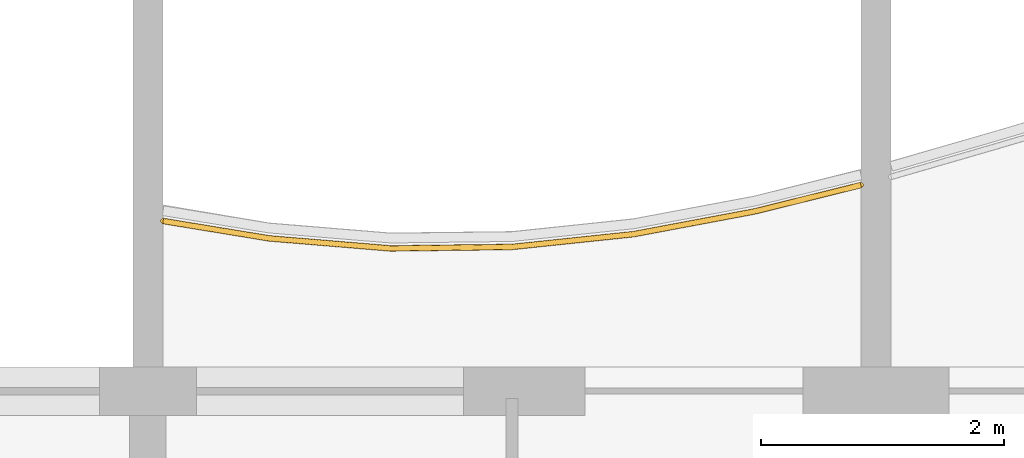
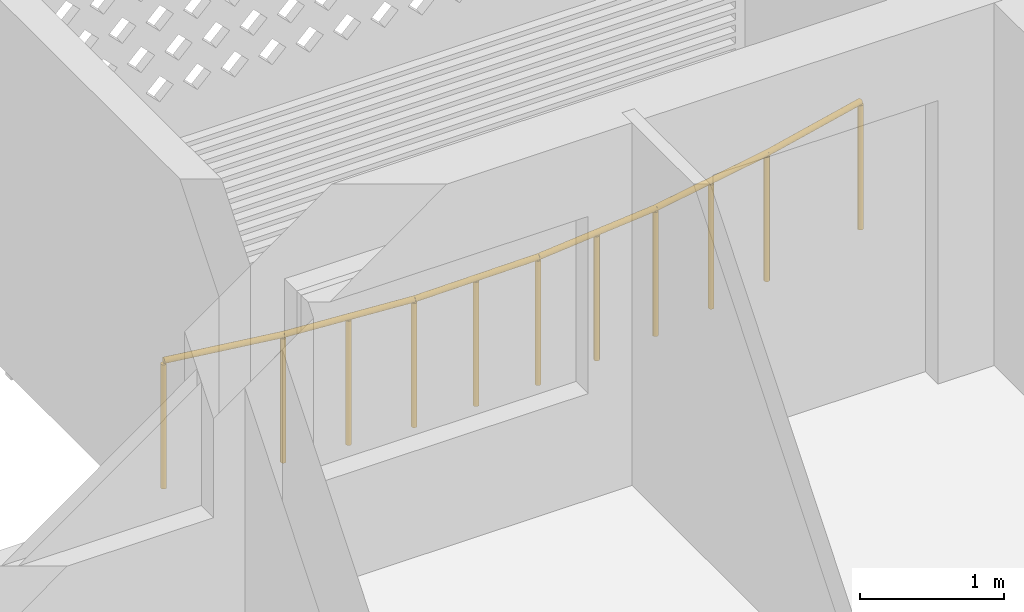
# One storey, part 22 of 31: 1 railing.
"""IFC4 building model written with IfcOpenShell, lengths in metres."""

from ifc_helpers import new_model, si_unit, direction, frame, origin, origin_2d, place, context, subcontext, project, spatial, circle, extrude, material, type_object, element, save


model = new_model("IFC4")

# Units and contexts
model_context = context("Model", 3, precision=1e-05, world=origin(), true_north=direction((0.0, 1.0)))
body_context = subcontext(model_context, "Body", "Model", "MODEL_VIEW")
ifc_project = project(units=[si_unit("LENGTHUNIT", "METRE"), si_unit("AREAUNIT", "SQUARE_METRE"), si_unit("VOLUMEUNIT", "CUBIC_METRE"), si_unit("PLANEANGLEUNIT", "RADIAN"), si_unit("MASSUNIT", "GRAM", prefix="KILO")], contexts=[model_context])

# Site, building, storey
site_placement = place(None, origin())
site = spatial("IfcSite", under=ifc_project, at=site_placement, CompositionType="ELEMENT")
building_placement = place(site_placement, origin())
building = spatial("IfcBuilding", under=site, at=building_placement, Name="Poui Terraces", CompositionType="ELEMENT")
storey_placement = place(building_placement, frame((0.0, 0.0, 142.199951171875)))
storey = spatial("IfcBuildingStorey", under=building, at=storey_placement, Name="L39", CompositionType="ELEMENT", Elevation=142.199951171875)

# Railing
ifc_material = material(Name="Painted steel fretwork", Category="steel")
railing_type = type_object("IfcRailingType", Name="BALCONY GUARD 1100", PredefinedType="GUARDRAIL", material=ifc_material)
railing_placement = place(storey_placement, frame((48.125, 43.802490234375, 0.0)))
element("IfcRailing", 1, at=railing_placement, inside=storey, type_object=railing_type, Name="BALCONY GUARD", PredefinedType="GUARDRAIL", context=body_context, shape_type="SweptSolid", body=[
    extrude(circle(Radius=0.02392578125, at=origin_2d()), frame((0.0, 0.0, 1.076171875), z_axis=(0.986851434927, -0.16162996437, 0.0), x_axis=(0.16162996437, 0.986851434927, 0.0)), (0.0, 0.0, 1.0), 0.88671875),
    extrude(circle(Radius=0.02392578125, at=origin_2d()), frame((0.875, -0.143310546875, 1.076171875), z_axis=(0.99661255374, -0.082240000773, 0.0), x_axis=(0.082240000773, 0.99661255374, 0.0)), (0.0, 0.0, 1.0), 1.00341796875),
    extrude(circle(Radius=0.02392578125, at=origin_2d()), frame((1.875, -0.225830078125, 1.076171875), z_axis=(0.999928452303, 0.011962034708, 0.0), x_axis=(-0.011962034708, 0.999928452303, 0.0)), (0.0, 0.0, 1.0), 1.0),
    extrude(circle(Radius=0.02392578125, at=origin_2d()), frame((2.875, -0.2138671875, 1.076171875), z_axis=(0.994509443434, 0.104646867705, 0.0), x_axis=(-0.104646867705, 0.994509443434, 0.0)), (0.0, 0.0, 1.0), 1.005615234375),
    extrude(circle(Radius=0.02392578125, at=origin_2d()), frame((3.875, -0.108642578125, 1.076171875), z_axis=(0.982828697247, 0.184520329146, 0.0), x_axis=(-0.184520329146, 0.982828697247, 0.0)), (0.0, 0.0, 1.0), 1.017578125),
    extrude(circle(Radius=0.02392578125, at=origin_2d()), frame((4.875, 0.0791015625, 1.076171875), z_axis=(0.970650152273, 0.240495908264, 0.0), x_axis=(-0.240495908264, 0.970650152273, 0.0)), (0.0, 0.0, 1.0), 0.9013671875),
    extrude(circle(Radius=0.02099609375, at=origin_2d()), origin(), (0.0, 0.0, 1.0), 1.052001953125),
    extrude(circle(Radius=0.02099609375, at=origin_2d()), frame((0.875, -0.143310546875, 0.0)), (0.0, 0.0, 1.0), 1.052001953125),
    extrude(circle(Radius=0.02099609375, at=origin_2d()), frame((1.375, -0.1845703125, 0.0)), (0.0, 0.0, 1.0), 1.052001953125),
    extrude(circle(Radius=0.02099609375, at=origin_2d()), frame((1.875, -0.225830078125, 0.0)), (0.0, 0.0, 1.0), 1.052001953125),
    extrude(circle(Radius=0.02099609375, at=origin_2d()), frame((2.375, -0.2197265625, 0.0)), (0.0, 0.0, 1.0), 1.052001953125),
    extrude(circle(Radius=0.02099609375, at=origin_2d()), frame((2.875, -0.2138671875, 0.0)), (0.0, 0.0, 1.0), 1.052001953125),
    extrude(circle(Radius=0.02099609375, at=origin_2d()), frame((3.375, -0.1611328125, 0.0)), (0.0, 0.0, 1.0), 1.052001953125),
    extrude(circle(Radius=0.02099609375, at=origin_2d()), frame((3.875, -0.108642578125, 0.0)), (0.0, 0.0, 1.0), 1.052001953125),
    extrude(circle(Radius=0.02099609375, at=origin_2d()), frame((4.375, -0.0146484375, 0.0)), (0.0, 0.0, 1.0), 1.052001953125),
    extrude(circle(Radius=0.02099609375, at=origin_2d()), frame((4.875, 0.0791015625, 0.0)), (0.0, 0.0, 1.0), 1.052001953125),
    extrude(circle(Radius=0.02099609375, at=origin_2d()), frame((5.75, 0.2958984375, 0.0)), (0.0, 0.0, 1.0), 1.052001953125),
])

save(model, "model.ifc")
